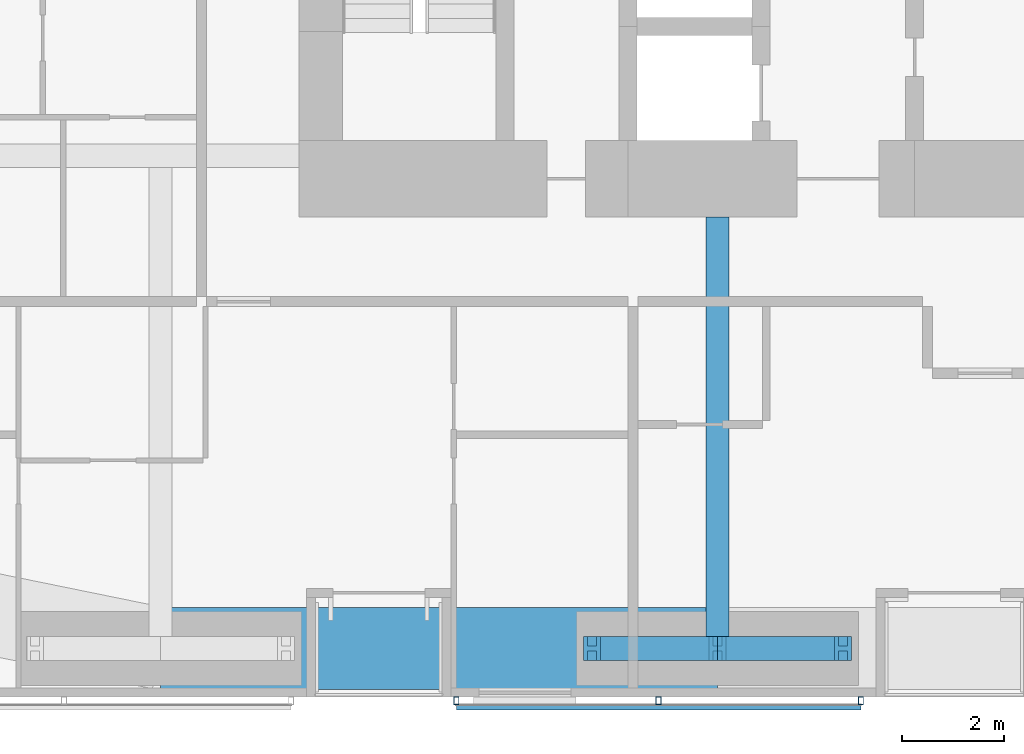
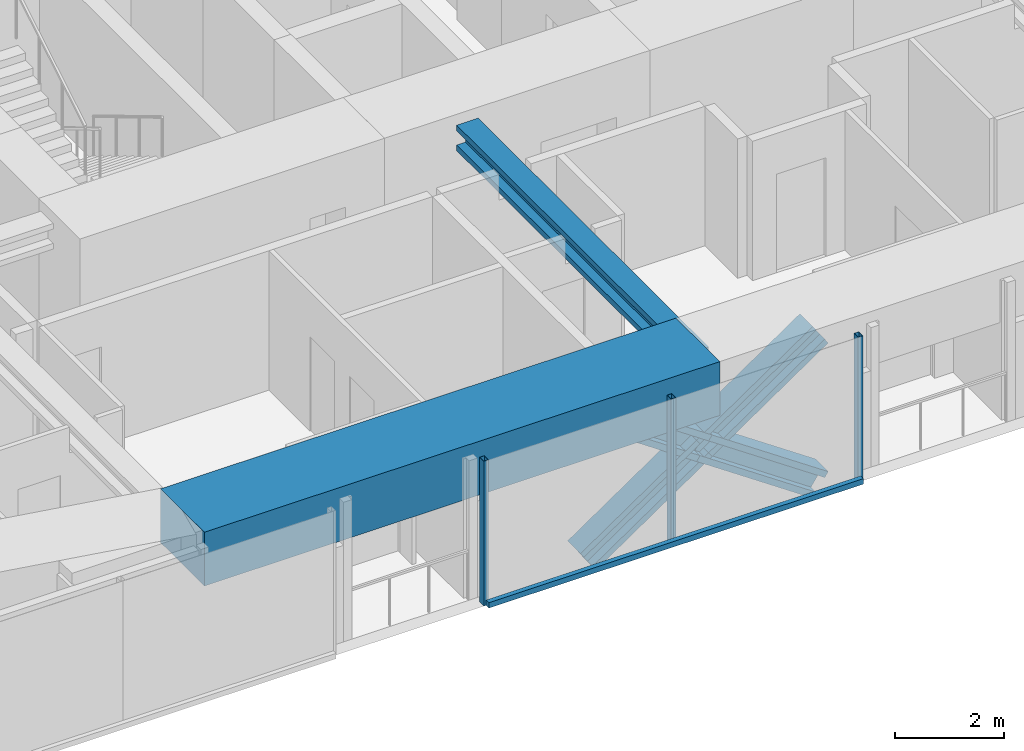
# One storey, part 4 of 23: 8 members, 2 beams, 1 element without a shape of its own.
"""IFC4 building model written with IfcOpenShell, lengths in metres."""

from ifc_helpers import new_model, si_unit, direction, frame, origin, origin_2d, place, context, subcontext, project, spatial, rectangle, hollow_rectangle, i_section, extrude, material, material_profile, profile_set, type_object, element, aggregate, save


model = new_model("IFC4")

# Units and contexts
model_context = context("Model", 3, precision=1e-05, world=origin(), true_north=direction((0.0, 1.0)))
body_context = subcontext(model_context, "Body", "Model", "MODEL_VIEW")
ifc_project = project(units=[si_unit("LENGTHUNIT", "METRE"), si_unit("AREAUNIT", "SQUARE_METRE"), si_unit("VOLUMEUNIT", "CUBIC_METRE"), si_unit("PLANEANGLEUNIT", "RADIAN"), si_unit("MASSUNIT", "GRAM", prefix="KILO")], contexts=[model_context])

# Site, building, storey
site_placement = place(None, origin())
site = spatial("IfcSite", under=ifc_project, at=site_placement, CompositionType="ELEMENT")
building_placement = place(site_placement, origin())
building = spatial("IfcBuilding", under=site, at=building_placement, Name="Jalousie Tower", CompositionType="ELEMENT")
storey_placement = place(building_placement, frame((0.0, 0.0, 104.85009765625)))
storey = spatial("IfcBuildingStorey", under=building, at=storey_placement, Name="L28", CompositionType="ELEMENT", Elevation=104.85009765625)

# Beam
ifc_material_1 = material(Name="Steel ASTM A992 Grade 50", Category="steel")
ifc_material_profile_1 = material_profile(ifc_material_1, i_section(OverallWidth=0.45458984375, OverallDepth=0.569091796875, WebThickness=0.077880859375, FlangeThickness=0.124755859375, at=origin_2d()), Name="W14X730")
ifc_profile_set_1 = profile_set([ifc_material_profile_1], Name="Steel ASTM A992 Grade 50")
beam_type_1 = type_object("IfcBeamType", Name="LEAN COLLECTOR W14X730", PredefinedType="BEAM", material=ifc_profile_set_1)
beam_1_placement = place(storey_placement, frame((27.75, 0.949951171875, 2.825439453125), z_axis=(0.0, 1.0, 0.0), x_axis=(-1.0, 0.0, 0.0)))
element("IfcBeam", 1, at=beam_1_placement, inside=storey, type_object=beam_type_1, Name="Lean collector under L29", PredefinedType="BEAM", context=body_context, shape_type="SweptSolid", body=[
    extrude(i_section(OverallWidth=0.45458984375, OverallDepth=0.569091796875, WebThickness=0.077880859375, FlangeThickness=0.124755859375, at=origin_2d()), origin(), (0.0, 0.0, 1.0), 8.425048828125),
])

# Members
ifc_material_2 = material(Name="Steel ASTM A992 Grade 50", Category="steel")
ifc_material_profile_2 = material_profile(ifc_material_2, i_section(OverallWidth=0.472412109375, OverallDepth=0.5791015625, WebThickness=0.094970703125, FlangeThickness=0.1298828125, at=origin_2d()), Name="W14X808")
ifc_profile_set_2 = profile_set([ifc_material_profile_2], Name="Steel ASTM A992 Grade 50")
member_type_1 = type_object("IfcMemberType", Name="PERIMETER BRACE W14X808", PredefinedType="BRACE", material=ifc_profile_set_2)
for number, where, z_axis, x_axis, name in (
    (2, (25.300048828125, 0.949951171875, -0.60009765625), (0.825500916831, 0.0, 0.564400776321), (0.0, 1.0, 0.0), "Perimeter brace 03 L28 part 1"),
    (3, (27.75, 0.949951171875, 1.074951171875), (0.825500916831, 0.0, 0.564400776321), (0.0, 1.0, 0.0), "Perimeter brace 03 L28 part 2"),
    (4, (30.199951171875, 0.949951171875, -0.60009765625), (-0.825500916831, 0.0, 0.564400776321), (0.0, -1.0, 0.0), "Perimeter brace 03 L28 part 3"),
    (5, (27.75, 0.949951171875, 1.074951171875), (-0.825500916831, 0.0, 0.564400776321), (0.0, -1.0, 0.0), "Perimeter brace 03 L28 part 4"),
):
    element("IfcMember", number, at=place(storey_placement, frame(where, z_axis=z_axis, x_axis=x_axis)), inside=storey, type_object=member_type_1, Name=name, PredefinedType="BRACE", context=body_context, shape_type="SweptSolid", body=[
        extrude(i_section(OverallWidth=0.472412109375, OverallDepth=0.5791015625, WebThickness=0.094970703125, FlangeThickness=0.1298828125, at=origin_2d()), origin(), (0.0, 0.0, 1.0), 2.9677734375),
    ])

# Beam
ifc_material_3 = material(Name="Concrete f'c 40 MPa", Category="concrete")
ifc_material_profile_3 = material_profile(ifc_material_3, rectangle(XDim=1.60009765625, YDim=1.199951171875, at=origin_2d()), Name="RC 1600x1200")
ifc_profile_set_3 = profile_set([ifc_material_profile_3], Name="Concrete f'c 40 MPa")
beam_type_2 = type_object("IfcBeamType", Name="RC BEAM 1600x1200", PredefinedType="BEAM", material=ifc_profile_set_3)
beam_2_placement = place(storey_placement, frame((16.875, 0.949951171875, 2.75), z_axis=(1.0, 0.0, 0.0), x_axis=(0.0, 1.0, 0.0)))
element("IfcBeam", 6, at=beam_2_placement, inside=storey, type_object=beam_type_2, Name="Edge band beam 02-03 under L29", PredefinedType="BEAM", context=body_context, shape_type="SweptSolid", body=[
    extrude(rectangle(XDim=1.60009765625, YDim=1.199951171875, at=origin_2d()), origin(), (0.0, 0.0, 1.0), 10.875),
])

# Curtain wall, members
ifc_material_4 = material(Name="Perforated aluminium sheet", Category="aluminium")
curtain_wall_type = type_object("IfcCurtainWallType", Name="SOLAR SCREEN SS-1", PredefinedType="USERDEFINED", material=ifc_material_4)
curtain_wall_placement = place(storey_placement, origin())
curtain_wall = element("IfcCurtainWall", 7, at=curtain_wall_placement, inside=storey, type_object=curtain_wall_type, Name="Solar screen L28", ObjectType="SOLAR SCREEN SS-1", PredefinedType="USERDEFINED")
ifc_material_5 = material(Name="Steel ASTM A500 Grade C", Category="steel")
ifc_material_profile_4 = material_profile(ifc_material_5, hollow_rectangle(XDim=0.1015625, YDim=0.15234375, WallThickness=0.00634765625, at=origin_2d()), Name="HSS6X4X1/4")
ifc_profile_set_4 = profile_set([ifc_material_profile_4], Name="Steel ASTM A500 Grade C")
member_type_2 = type_object("IfcMemberType", Name="SOLAR SCREEN SS-1 MULLION", PredefinedType="MULLION", material=ifc_profile_set_4)
member_1_placement = place(storey_placement, frame((22.64990234375, -0.0712890625, -0.1201171875), z_axis=(0.0, 0.0, 1.0), x_axis=(1.0, 0.0, 0.0)))
member_1 = element("IfcMember", 8, at=member_1_placement, type_object=member_type_2, Name="SS1 post 1", PredefinedType="MULLION", context=body_context, shape_type="SweptSolid", body=[
    extrude(hollow_rectangle(XDim=0.1015625, YDim=0.15234375, WallThickness=0.00634765625, at=origin_2d()), origin(), (0.0, 0.0, 1.0), 3.22998046875),
])
member_2_placement = place(storey_placement, frame((26.60009765625, -0.0712890625, -0.1201171875), z_axis=(0.0, 0.0, 1.0), x_axis=(1.0, 0.0, 0.0)))
member_2 = element("IfcMember", 9, at=member_2_placement, type_object=member_type_2, Name="SS1 post 2", PredefinedType="MULLION", context=body_context, shape_type="SweptSolid", body=[
    extrude(hollow_rectangle(XDim=0.1015625, YDim=0.15234375, WallThickness=0.00634765625, at=origin_2d()), origin(), (0.0, 0.0, 1.0), 3.22998046875),
])
member_3_placement = place(storey_placement, frame((30.550048828125, -0.0712890625, -0.1201171875), z_axis=(0.0, 0.0, 1.0), x_axis=(1.0, 0.0, 0.0)))
member_3 = element("IfcMember", 10, at=member_3_placement, type_object=member_type_2, Name="SS1 post 3", PredefinedType="MULLION", context=body_context, shape_type="SweptSolid", body=[
    extrude(hollow_rectangle(XDim=0.1015625, YDim=0.15234375, WallThickness=0.00634765625, at=origin_2d()), origin(), (0.0, 0.0, 1.0), 3.22998046875),
])
ifc_material_6 = material(Name="Extruded aluminium screen rail", Category="aluminium")
ifc_material_profile_5 = material_profile(ifc_material_6, rectangle(XDim=0.1015625, YDim=0.1201171875, at=origin_2d()), Name="RAIL 102x120")
ifc_profile_set_5 = profile_set([ifc_material_profile_5], Name="Extruded aluminium screen rail")
member_type_3 = type_object("IfcMemberType", Name="SOLAR SCREEN SS-1 TRANSOM", PredefinedType="USERDEFINED", material=ifc_profile_set_5)
member_4_placement = place(storey_placement, frame((22.64990234375, -0.1982421875, -0.06005859375), z_axis=(1.0, 0.0, 0.0), x_axis=(0.0, 1.0, 0.0)))
member_4 = element("IfcMember", 11, at=member_4_placement, type_object=member_type_3, Name="SS1 rail", ObjectType="TRANSOM", PredefinedType="USERDEFINED", context=body_context, shape_type="SweptSolid", body=[
    extrude(rectangle(XDim=0.1015625, YDim=0.1201171875, at=origin_2d()), origin(), (0.0, 0.0, 1.0), 7.900146484375),
])
aggregate(curtain_wall, [member_1, member_2, member_3, member_4])

save(model, "model.ifc")
